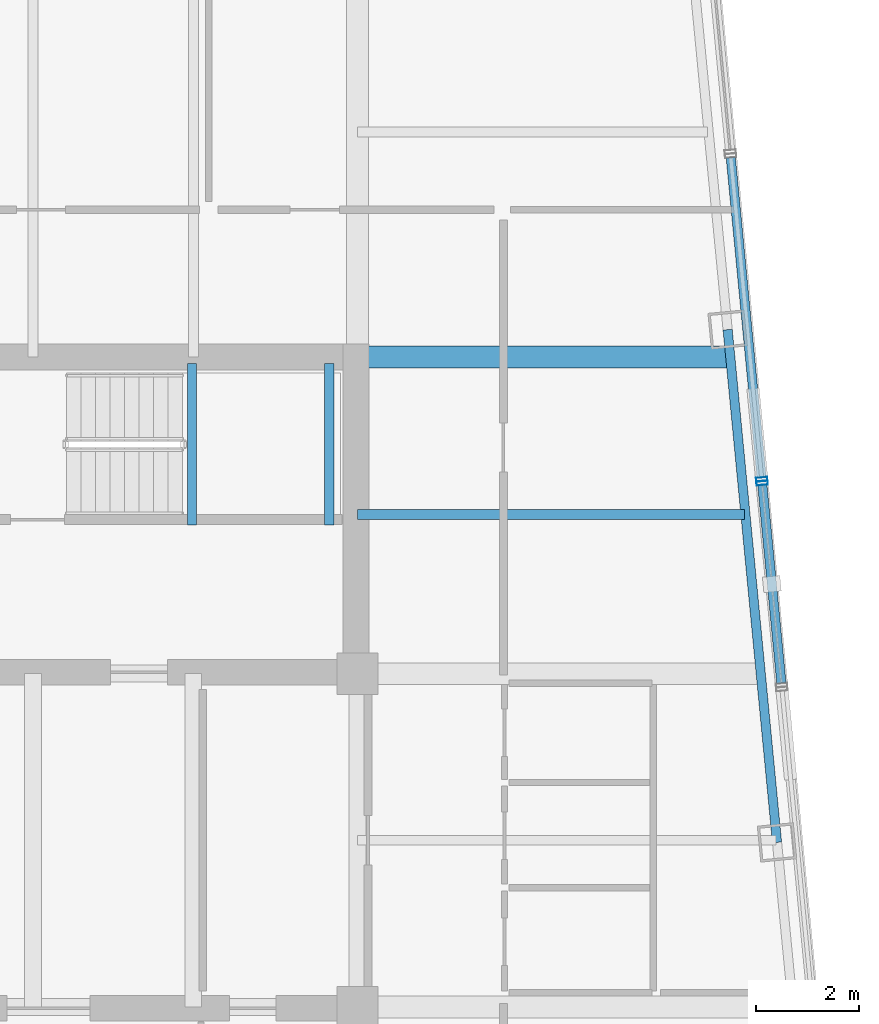
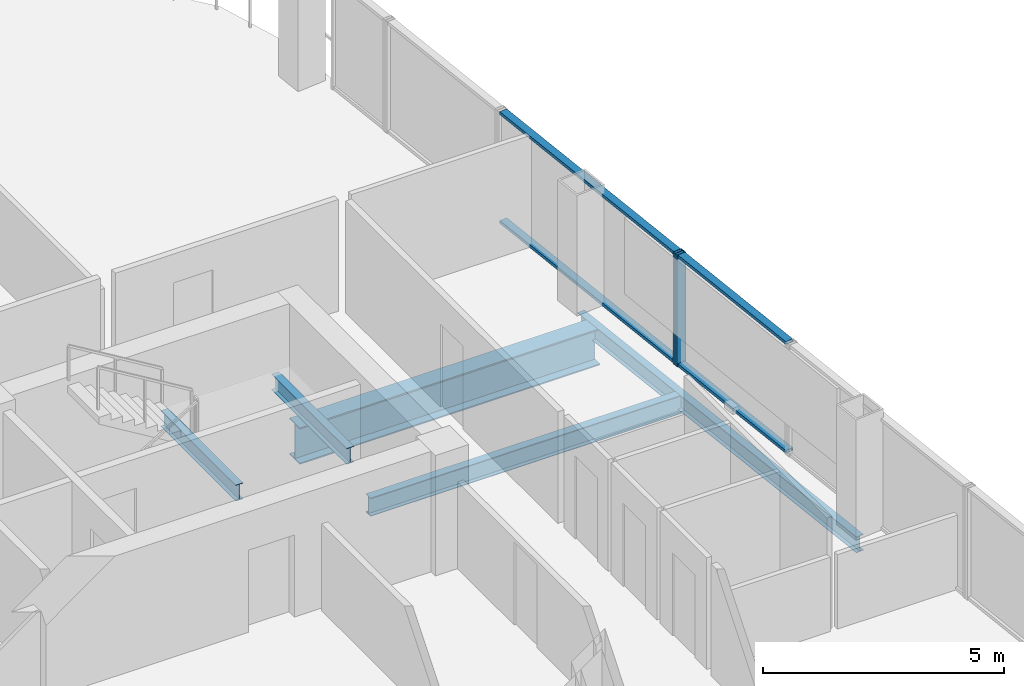
# One storey, part 11 of 22: 6 members, 5 beams, 2 elements without a shape of their own.
"""IFC4 building model written with IfcOpenShell, lengths in metres."""

from ifc_helpers import new_model, si_unit, direction, frame, origin, origin_2d, place, context, subcontext, project, spatial, hollow_rectangle, i_section, extrude, material, layer, layer_set, material_profile, profile_set, type_object, element, aggregate, save


model = new_model("IFC4")

# Units and contexts
model_context = context("Model", 3, precision=1e-05, world=origin(), true_north=direction((0.0, 1.0)))
body_context = subcontext(model_context, "Body", "Model", "MODEL_VIEW")
ifc_project = project(units=[si_unit("LENGTHUNIT", "METRE"), si_unit("AREAUNIT", "SQUARE_METRE"), si_unit("VOLUMEUNIT", "CUBIC_METRE"), si_unit("PLANEANGLEUNIT", "RADIAN"), si_unit("MASSUNIT", "GRAM", prefix="KILO")], contexts=[model_context])

# Site, building, storey
site_placement = place(None, origin())
site = spatial("IfcSite", under=ifc_project, at=site_placement, CompositionType="ELEMENT")
building_placement = place(site_placement, origin())
building = spatial("IfcBuilding", under=site, at=building_placement, Name="Qhalaya Broadcast Tower", CompositionType="ELEMENT")
storey_placement = place(building_placement, frame((0.0, 0.0, 174.449951171875)))
storey = spatial("IfcBuildingStorey", under=building, at=storey_placement, Name="L51", CompositionType="ELEMENT", Elevation=174.449951171875)

# Beams
ifc_material_1 = material(Name="Structural Steel ASTM A992 Grade 50", Category="steel")
ifc_material_profile_1 = material_profile(ifc_material_1, i_section(OverallWidth=0.19189453125, OverallDepth=0.462890625, WebThickness=0.010498046875, FlangeThickness=0.017578125, at=origin_2d()), Name="W18X60")
ifc_profile_set_1 = profile_set([ifc_material_profile_1], Name="Structural Steel ASTM A992 Grade 50")
beam_type_1 = type_object("IfcBeamType", Name="Composite Floor Joist J03", PredefinedType="JOIST", material=ifc_profile_set_1)
beam_1_placement = place(storey_placement, frame((9.375, 6.89990234375, -0.451416015625), z_axis=(1.0, 0.0, 0.0), x_axis=(0.0, 1.0, 0.0)))
element("IfcBeam", 1, at=beam_1_placement, inside=storey, type_object=beam_type_1, Name="L51 J03 L51-JWE5E-1", PredefinedType="JOIST", context=body_context, shape_type="SweptSolid", body=[
    extrude(i_section(OverallWidth=0.19189453125, OverallDepth=0.462890625, WebThickness=0.010498046875, FlangeThickness=0.017578125, at=origin_2d()), origin(), (0.0, 0.0, 1.0), 7.48681640625),
])
ifc_material_profile_2 = material_profile(ifc_material_1, i_section(OverallWidth=0.4189453125, OverallDepth=0.927001953125, WebThickness=0.019287109375, FlangeThickness=0.031982421875, at=origin_2d()), Name="W36X231")
ifc_profile_set_2 = profile_set([ifc_material_profile_2], Name="Structural Steel ASTM A992 Grade 50")
beam_type_2 = type_object("IfcBeamType", Name="Mid Block Primary Girder PG3", PredefinedType="USERDEFINED", material=ifc_profile_set_2)
beam_2_placement = place(storey_placement, frame((9.375, 9.949951171875, -0.683349609375), z_axis=(1.0, 0.0, 0.0), x_axis=(0.0, 1.0, 0.0)))
element("IfcBeam", 2, at=beam_2_placement, inside=storey, type_object=beam_type_2, Name="L51 PG3 L51-PGYE4-1", ObjectType="GIRDER", PredefinedType="USERDEFINED", context=body_context, shape_type="SweptSolid", body=[
    extrude(i_section(OverallWidth=0.4189453125, OverallDepth=0.927001953125, WebThickness=0.019287109375, FlangeThickness=0.031982421875, at=origin_2d()), origin(), (0.0, 0.0, 1.0), 7.193115234375),
])

# Curtain wall, member
ifc_material_2 = material(Name="Solar-Control Low-E Triple Glazing", Category="glass")
ifc_layer_1 = layer(ifc_material_2, 0.219970703125, Name="Solar-Control Low-E Triple Glazing")
ifc_layer_set_1 = layer_set([ifc_layer_1], Name="Solar-Control Low-E Triple Glazing")
curtain_wall_type_1 = type_object("IfcCurtainWallType", Name="Even-Block 4-Storey Double-Module Curtain Wall CW-03", PredefinedType="NOTDEFINED", material=ifc_layer_set_1)
curtain_wall_1_placement = place(storey_placement, origin())
curtain_wall_1 = element("IfcCurtainWall", 3, at=curtain_wall_1_placement, inside=storey, type_object=curtain_wall_type_1, Name="L51 Unitised Curtain Wall L51-CW-E4", PredefinedType="NOTDEFINED")
ifc_material_3 = material(Name="Anodised Aluminium 6063-T6", Category="aluminium")
ifc_material_profile_3 = material_profile(ifc_material_3, hollow_rectangle(XDim=0.074951171875, YDim=0.219970703125, WallThickness=0.00390625, at=origin_2d()), Name="ALU-MUL 75x220x4")
ifc_profile_set_3 = profile_set([ifc_material_profile_3], Name="Anodised Aluminium 6063-T6")
member_type_1 = type_object("IfcMemberType", Name="Unitised Curtain-Wall Mullion M01", PredefinedType="MULLION", material=ifc_profile_set_3)
member_1_placement = place(storey_placement, frame((17.205078125, 7.51025390625, 0.0), z_axis=(0.0, 0.0, 1.0), x_axis=(-0.095851433835, 0.995395651302, 0.0)))
member_1 = element("IfcMember", 4, at=member_1_placement, type_object=member_type_1, Name="CW-03 mullion 2", PredefinedType="MULLION", context=body_context, shape_type="SweptSolid", body=[
    extrude(hollow_rectangle(XDim=0.074951171875, YDim=0.219970703125, WallThickness=0.00390625, at=origin_2d()), origin(), (0.0, 0.0, 1.0), 2.830078125),
])

ifc_material_4 = material(Name="Fired Architectural Terracotta", Category="masonry")
ifc_layer_2 = layer(ifc_material_4, 0.219970703125, Name="Fired Architectural Terracotta")
ifc_layer_set_2 = layer_set([ifc_layer_2], Name="Fired Architectural Terracotta")
curtain_wall_type_2 = type_object("IfcCurtainWallType", Name="Block-Cap Unitised Terracotta Spandrel Wall CW-07", PredefinedType="NOTDEFINED", material=ifc_layer_set_2)
curtain_wall_2_placement = place(storey_placement, origin())
curtain_wall_2 = element("IfcCurtainWall", 5, at=curtain_wall_2_placement, inside=storey, type_object=curtain_wall_type_2, Name="L51 Unitised Curtain Wall L51-CW-E5", PredefinedType="NOTDEFINED")
member_2_placement = place(storey_placement, frame((17.19775390625, 7.584716796875, 0.0), z_axis=(0.0, 0.0, 1.0), x_axis=(-0.095853708125, 0.995395432297, 0.0)))
member_2 = element("IfcMember", 6, at=member_2_placement, type_object=member_type_1, Name="CW-07 mullion 1", PredefinedType="MULLION", context=body_context, shape_type="SweptSolid", body=[
    extrude(hollow_rectangle(XDim=0.074951171875, YDim=0.219970703125, WallThickness=0.00390625, at=origin_2d()), origin(), (0.0, 0.0, 1.0), 2.830078125),
])

# Member
ifc_material_profile_4 = material_profile(ifc_material_3, hollow_rectangle(XDim=0.074951171875, YDim=0.179931640625, WallThickness=0.00390625, at=origin_2d()), Name="ALU-TRN 75x180x4")
ifc_profile_set_4 = profile_set([ifc_material_profile_4], Name="Anodised Aluminium 6063-T6")
member_type_2 = type_object("IfcMemberType", Name="Unitised Curtain-Wall Transom T01", PredefinedType="USERDEFINED", material=ifc_profile_set_4)
member_3_placement = place(storey_placement, frame((17.577880859375, 3.638671875, 0.03759765625), z_axis=(-0.09589476636, 0.995391477653, 0.0), x_axis=(0.0, 0.0, 1.0)))
member_3 = element("IfcMember", 7, at=member_3_placement, type_object=member_type_2, Name="CW-03 transom 1.1", ObjectType="TRANSOM", PredefinedType="USERDEFINED", context=body_context, shape_type="SweptSolid", body=[
    extrude(hollow_rectangle(XDim=0.074951171875, YDim=0.179931640625, WallThickness=0.00390625, at=origin_2d()), origin(), (0.0, 0.0, 1.0), 3.85205078125),
])

member_4_placement = place(storey_placement, frame((17.577880859375, 3.638671875, 2.79248046875), z_axis=(-0.09589476636, 0.995391477653, 0.0), x_axis=(0.0, 0.0, 1.0)))
member_4 = element("IfcMember", 8, at=member_4_placement, type_object=member_type_2, Name="CW-03 transom 1.2", ObjectType="TRANSOM", PredefinedType="USERDEFINED", context=body_context, shape_type="SweptSolid", body=[
    extrude(hollow_rectangle(XDim=0.074951171875, YDim=0.179931640625, WallThickness=0.00390625, at=origin_2d()), origin(), (0.0, 0.0, 1.0), 3.85205078125),
])

aggregate(curtain_wall_1, [member_1, member_3, member_4])

member_5_placement = place(storey_placement, frame((17.194091796875, 7.6220703125, 0.03759765625), z_axis=(-0.095850882776, 0.995395704366, 0.0), x_axis=(0.0, 0.0, 1.0)))
member_5 = element("IfcMember", 9, at=member_5_placement, type_object=member_type_2, Name="CW-07 transom 1.1", ObjectType="TRANSOM", PredefinedType="USERDEFINED", context=body_context, shape_type="SweptSolid", body=[
    extrude(hollow_rectangle(XDim=0.074951171875, YDim=0.179931640625, WallThickness=0.00390625, at=origin_2d()), origin(), (0.0, 0.0, 1.0), 6.21484375),
])

member_6_placement = place(storey_placement, frame((17.194091796875, 7.6220703125, 2.79248046875), z_axis=(-0.095850882776, 0.995395704366, 0.0), x_axis=(0.0, 0.0, 1.0)))
member_6 = element("IfcMember", 10, at=member_6_placement, type_object=member_type_2, Name="CW-07 transom 1.2", ObjectType="TRANSOM", PredefinedType="USERDEFINED", context=body_context, shape_type="SweptSolid", body=[
    extrude(hollow_rectangle(XDim=0.074951171875, YDim=0.179931640625, WallThickness=0.00390625, at=origin_2d()), origin(), (0.0, 0.0, 1.0), 6.21484375),
])

aggregate(curtain_wall_2, [member_2, member_5, member_6])

# Beams
ifc_material_profile_5 = material_profile(ifc_material_1, i_section(OverallWidth=0.177978515625, OverallDepth=0.406005859375, WebThickness=0.0078125, FlangeThickness=0.0126953125, at=origin_2d()), Name="W16X40")
ifc_profile_set_5 = profile_set([ifc_material_profile_5], Name="Structural Steel ASTM A992 Grade 50")
beam_type_3 = type_object("IfcBeamType", Name="Upper Perimeter Spandrel Beam SP2", PredefinedType="SPANDREL", material=ifc_profile_set_5)
beam_3_placement = place(storey_placement, frame((17.49267578125, 0.558837890625, -0.4228515625), z_axis=(-0.095852900965, 0.995395510024, 0.0), x_axis=(-0.995395510024, -0.095852900965, 0.0)))
element("IfcBeam", 11, at=beam_3_placement, inside=storey, type_object=beam_type_3, Name="L51 SP2 L51-SPR-06", PredefinedType="SPANDREL", context=body_context, shape_type="SweptSolid", body=[
    extrude(i_section(OverallWidth=0.177978515625, OverallDepth=0.406005859375, WebThickness=0.0078125, FlangeThickness=0.0126953125, at=origin_2d()), origin(), (0.0, 0.0, 1.0), 9.966552734375),
])
for number, where, z_axis, x_axis, name in (
    (12, (6.175048828125, 6.699951171875, 1.1220703125), (0.0, 1.0, 0.0), (-1.0, 0.0, 0.0), "L51 ST-1 Half-Landing Bearer Beam 1"),
    (13, (8.830078125, 6.699951171875, 1.1220703125), (0.0, 1.0, 0.0), (-1.0, 0.0, 0.0), "L51 ST-1 Half-Landing Bearer Beam 2"),
):
    element("IfcBeam", number, at=place(storey_placement, frame(where, z_axis=z_axis, x_axis=x_axis)), inside=storey, type_object=beam_type_3, Name=name, PredefinedType="SPANDREL", context=body_context, shape_type="SweptSolid", body=[
        extrude(i_section(OverallWidth=0.177978515625, OverallDepth=0.406005859375, WebThickness=0.0078125, FlangeThickness=0.0126953125, at=origin_2d()), origin(), (0.0, 0.0, 1.0), 3.1201171875),
    ])

save(model, "model.ifc")
